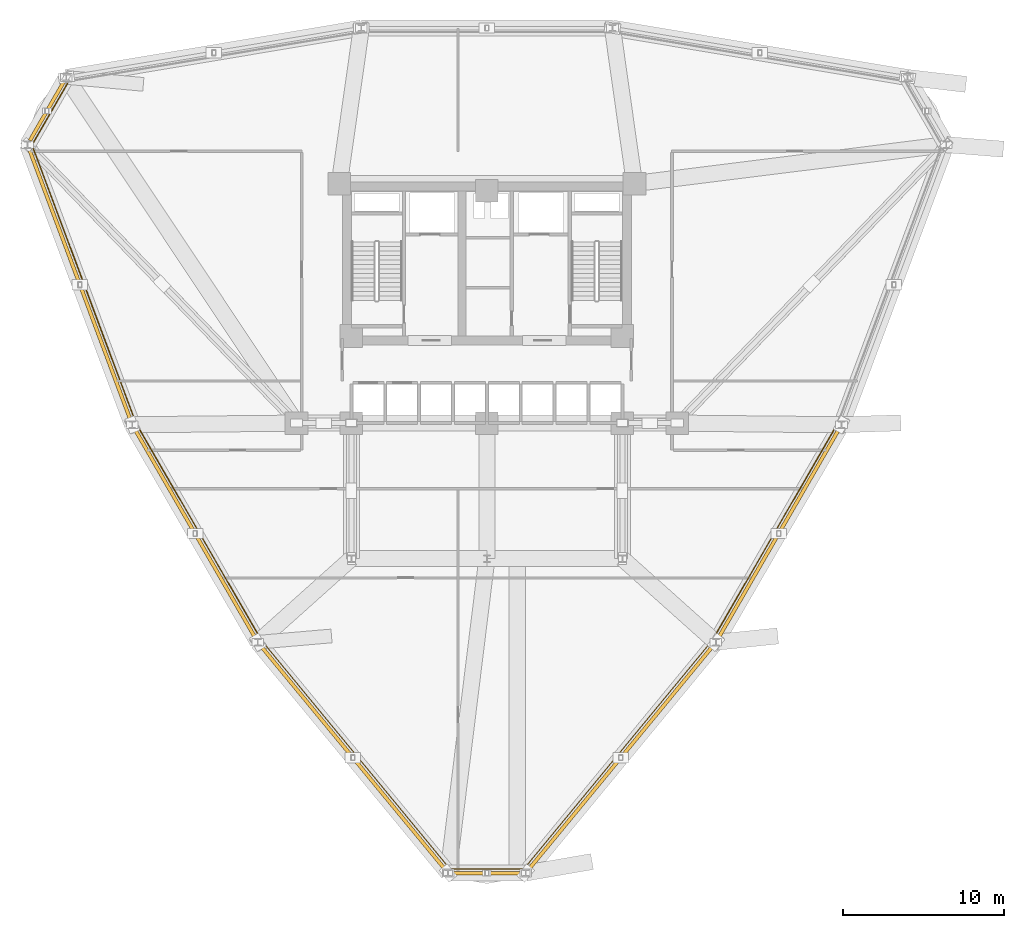
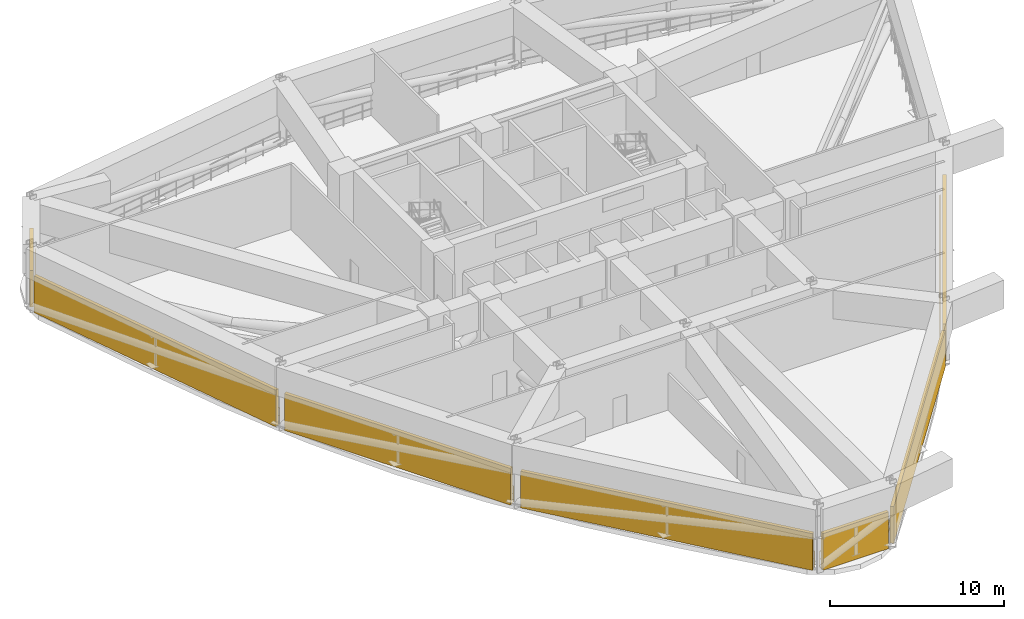
# One storey, part 10 of 12: 7 railings, 7 shading devices.
"""IFC4 building model written with IfcOpenShell, lengths in metres."""

import ifcopenshell
import ifcopenshell.guid

model = None  # the IFC model being written
_history = None  # IfcOwnerHistory: only IFC2X3 demands one
_inside = {}  # id of a spatial element -> (the spatial element, [elements in it])
_under = {}  # id of a project, library or spatial element -> (it, [spatial elements below it])
_declared = {}  # id of a project -> (the project, [libraries it declares])
_typed = {}  # id of a type object -> (the type object, [elements of that type])
_made_of = {}  # id of a material, layer set ... -> (it, [elements and type objects made of it])


def new_model(schema):
    """Start an empty IFC model of exactly this schema.

    Asked for "IFC4X3", IfcOpenShell would pick the latest addendum, in which some entities
    have other attributes; the version numbers below select the first issue.
    IFC2X3 requires an IfcOwnerHistory on every rooted entity: one is made here for all.
    """
    global model, _history
    if schema == "IFC4X3":
        model = ifcopenshell.file(schema_version=(4, 3, 0, 0))
    else:
        model = ifcopenshell.file(schema=schema)
    _inside.clear()
    _under.clear()
    _declared.clear()
    _typed.clear()
    _made_of.clear()
    _history = None
    if model.schema == "IFC2X3":
        org = make("IfcOrganization", Name="unknown")
        user = make(
            "IfcPersonAndOrganization",
            ThePerson=make("IfcPerson", FamilyName="unknown"),
            TheOrganization=org,
        )
        app = make(
            "IfcApplication",
            ApplicationDeveloper=org,
            Version="unknown",
            ApplicationFullName="unknown",
            ApplicationIdentifier="unknown",
        )
        _history = make(
            "IfcOwnerHistory",
            OwningUser=user,
            OwningApplication=app,
            ChangeAction="ADDED",
            CreationDate=0,
        )
    return model


def make(cls, **values):
    """One entity of the class cls with the attributes given. An attribute that is None is left unset."""
    return model.create_entity(
        cls, **{name: value for name, value in values.items() if value is not None}
    )


def rooted(cls, **values):
    """An entity with a GlobalId (a new one), such as an element, a storey or a relation."""
    return make(cls, GlobalId=ifcopenshell.guid.new(), OwnerHistory=_history, **values)


def si_unit(unit_type, name, prefix=None):
    """IfcSIUnit, for example si_unit("LENGTHUNIT", "METRE", prefix="MILLI")."""
    return make("IfcSIUnit", UnitType=unit_type, Prefix=prefix, Name=name)


def derived_unit(unit_type, elements):
    """IfcDerivedUnit: a product of units, each with its exponent."""
    return make(
        "IfcDerivedUnit",
        Elements=[
            make("IfcDerivedUnitElement", Unit=unit, Exponent=power)
            for unit, power in elements
        ],
        UnitType=unit_type,
    )


def assignment(units):
    """IfcUnitAssignment: the units of a project."""
    return None if units is None else make("IfcUnitAssignment", Units=units)


def point(xyz):
    """IfcCartesianPoint."""
    return None if xyz is None else make("IfcCartesianPoint", Coordinates=xyz)


def direction(xyz):
    """IfcDirection."""
    return None if xyz is None else make("IfcDirection", DirectionRatios=xyz)


def frame(location, z_axis=None, x_axis=None):
    """IfcAxis2Placement3D, a coordinate frame: its origin and axes. An axis left out is left unset."""
    return make(
        "IfcAxis2Placement3D",
        Location=point(location),
        Axis=direction(z_axis),
        RefDirection=direction(x_axis),
    )


def frame_2d(location, x_axis=None):
    """IfcAxis2Placement2D, a coordinate frame in the plane: its origin and x axis."""
    return make(
        "IfcAxis2Placement2D", Location=point(location), RefDirection=direction(x_axis)
    )


def origin():
    """The frame at (0, 0, 0) with its axes left unset."""
    return frame((0.0, 0.0, 0.0))


def origin_2d():
    """The frame at (0, 0) in the plane with its x axis left unset."""
    return frame_2d((0.0, 0.0))


def place(relative_to, where):
    """IfcLocalPlacement: puts the frame where relative to a parent placement (None: the world)."""
    return make(
        "IfcLocalPlacement", PlacementRelTo=relative_to, RelativePlacement=where
    )


def context(
    kind, dimensions, precision=None, world=None, true_north=None, identifier=None
):
    """IfcGeometricRepresentationContext, for example the 3D "Model" context."""
    return make(
        "IfcGeometricRepresentationContext",
        ContextIdentifier=identifier,
        ContextType=kind,
        CoordinateSpaceDimension=dimensions,
        Precision=precision,
        WorldCoordinateSystem=world,
        TrueNorth=true_north,
    )


def subcontext(parent, identifier, kind, view, scale=None):
    """IfcGeometricRepresentationSubContext, for example "Body" below "Model"."""
    return make(
        "IfcGeometricRepresentationSubContext",
        ContextIdentifier=identifier,
        ContextType=kind,
        ParentContext=parent,
        TargetScale=scale,
        TargetView=view,
    )


def project(units=None, contexts=None):
    """IfcProject with its units and contexts."""
    return rooted(
        "IfcProject",
        Name="project",
        RepresentationContexts=contexts,
        UnitsInContext=assignment(units),
    )


def spatial(cls, under=None, at=None, **own):
    """A site, building, storey or space (cls), placed at a placement, below another one or the project."""
    s = rooted(cls, ObjectPlacement=at, **own)
    if under is not None:
        _under.setdefault(under.id(), (under, []))[1].append(s)
    return s


def polyline(points):
    """IfcPolyline through the points."""
    return make("IfcPolyline", Points=[point(p) for p in points])


def profile(cls, at=None, kind="AREA", **sizes):
    """A parametric profile (cls). Its sizes go by their IFC names, for example OverallWidth=200.0."""
    return make(cls, ProfileType=kind, Position=at, **sizes)


def circle(**sizes):
    """IfcCircleProfileDef."""
    return profile("IfcCircleProfileDef", **sizes)


def outline(outer, holes=None, kind="AREA"):
    """IfcArbitraryClosedProfileDef: a profile drawn as a closed curve; with holes, ...WithVoids."""
    if holes is None:
        return make("IfcArbitraryClosedProfileDef", ProfileType=kind, OuterCurve=outer)
    return make(
        "IfcArbitraryProfileDefWithVoids",
        ProfileType=kind,
        OuterCurve=outer,
        InnerCurves=holes,
    )


def extrude(swept, where, along, depth):
    """IfcExtrudedAreaSolid: the profile swept, set in the frame where, extruded along a direction by depth."""
    return make(
        "IfcExtrudedAreaSolid",
        SweptArea=swept,
        Position=where,
        ExtrudedDirection=direction(along),
        Depth=depth,
    )


def shape(context_of_items, identifier, shape_type, items):
    """IfcShapeRepresentation: the items that make up one representation, for example the "Body"."""
    return make(
        "IfcShapeRepresentation",
        ContextOfItems=context_of_items,
        RepresentationIdentifier=identifier,
        RepresentationType=shape_type,
        Items=items,
    )


def material(Name=None, Category=None):
    """IfcMaterial."""
    return make("IfcMaterial", Name=Name, Category=Category)


def layer(
    of_material, thickness, ventilated=None, Name=None, Category=None, Priority=None
):
    """IfcMaterialLayer: one layer of a wall or slab, of a material (None: an air gap)."""
    return make(
        "IfcMaterialLayer",
        Material=of_material,
        LayerThickness=thickness,
        IsVentilated=ventilated,
        Name=Name,
        Category=Category,
        Priority=Priority,
    )


def layer_set(layers, Name=None):
    """IfcMaterialLayerSet."""
    return make("IfcMaterialLayerSet", MaterialLayers=layers, LayerSetName=Name)


def made_of(thing, what):
    """Note that an element or type object is made of a material, layer set ...; save() writes the relation."""
    if what is not None:
        _made_of.setdefault(what.id(), (what, []))[1].append(thing)
    return thing


def type_object(cls, material=None, **own):
    """A type object (cls), such as IfcWallType, which elements share."""
    return made_of(rooted(cls, **own), material)


def element(
    cls,
    number,
    at=None,
    inside=None,
    cuts=None,
    type_object=None,
    material=None,
    context=None,
    identifier="Body",
    shape_type=None,
    held_by="IfcProductDefinitionShape",
    body=None,
    shapes=None,
    **own,
):
    """One element of the class cls, such as IfcWall. Its Tag is "e" and its number.

    at: its placement. inside: the storey or other place that contains it. cuts: it is an
    opening in that element (IfcRelVoidsElement). A single representation is given by context,
    identifier, shape_type and body (its items); several are given by shapes. held_by: the class
    of the entity that holds the representations. save() writes the other relations.
    """
    e = rooted(cls, Tag="e%d" % number, ObjectPlacement=at, **own)
    if body is not None:
        shapes = [shape(context, identifier, shape_type, body)]
    if shapes is not None:
        e.Representation = make(held_by, Representations=shapes)
    if inside is not None:
        _inside.setdefault(inside.id(), (inside, []))[1].append(e)
    if cuts is not None:
        rooted(
            "IfcRelVoidsElement", RelatingBuildingElement=cuts, RelatedOpeningElement=e
        )
    if type_object is not None:
        _typed.setdefault(type_object.id(), (type_object, []))[1].append(e)
    return made_of(e, material)


def aggregate(whole, parts):
    """IfcRelAggregates: a whole, such as a stair, and the parts it consists of."""
    return rooted("IfcRelAggregates", RelatingObject=whole, RelatedObjects=parts)


def save(model, path):
    """Write the relations noted so far, then the file.

    IfcRelAggregates (storeys below a building ...), IfcRelContainedInSpatialStructure (elements
    in a storey), IfcRelDefinesByType, IfcRelAssociatesMaterial and IfcRelDeclares: one each for
    every whole, place, type object, material and project.
    """
    for whole, parts in _under.values():
        aggregate(whole, parts)
    for where, things in _inside.values():
        rooted(
            "IfcRelContainedInSpatialStructure",
            RelatedElements=things,
            RelatingStructure=where,
        )
    for kind, things in _typed.values():
        rooted("IfcRelDefinesByType", RelatedObjects=things, RelatingType=kind)
    for what, things in _made_of.values():
        rooted("IfcRelAssociatesMaterial", RelatedObjects=things, RelatingMaterial=what)
    for by, libraries in _declared.values():
        rooted("IfcRelDeclares", RelatingContext=by, RelatedDefinitions=libraries)
    model.write(path)


model = new_model("IFC4")

# Units and contexts
model_context = context("Model", 3, precision=1e-05, world=origin(), true_north=direction((0.0, 1.0)))
body_context = subcontext(model_context, "Body", "Model", "MODEL_VIEW")
ifc_project = project(units=[si_unit("LENGTHUNIT", "METRE"), si_unit("AREAUNIT", "SQUARE_METRE"), si_unit("VOLUMEUNIT", "CUBIC_METRE"), si_unit("PLANEANGLEUNIT", "RADIAN"), si_unit("MASSUNIT", "GRAM", prefix="KILO"), derived_unit("THERMALTRANSMITTANCEUNIT", [(si_unit("POWERUNIT", "WATT"), 1), (si_unit("LENGTHUNIT", "METRE"), -2), (si_unit("THERMODYNAMICTEMPERATUREUNIT", "KELVIN"), -1)])], contexts=[model_context])

# Site, building, storey
site_placement = place(None, origin())
site = spatial("IfcSite", under=ifc_project, at=site_placement, CompositionType="ELEMENT")
building_placement = place(site_placement, origin())
building = spatial("IfcBuilding", under=site, at=building_placement, Name="Korsvarv Bourse and Concert Hall", CompositionType="ELEMENT")
storey_placement = place(building_placement, frame((0.0, 0.0, 59.10009765625)))
storey = spatial("IfcBuildingStorey", under=building, at=storey_placement, Name="L14", CompositionType="ELEMENT", Elevation=59.10009765625)

# Railings
ifc_material_1 = material(Name="Laminated safety glass and stainless Steel S355 balustrade", Category="steel")
railing_type = type_object("IfcRailingType", Name="RL-BAL-EXT", PredefinedType="BALUSTRADE", material=ifc_material_1)
railing_1_placement = place(storey_placement, frame((9.998779296875, 53.446533203125, 0.0)))
element("IfcRailing", 1, at=railing_1_placement, inside=storey, type_object=railing_type, Name="L14 Refuge Band Perimeter Safety Balustrade 5", PredefinedType="BALUSTRADE", context=body_context, shape_type="SweptSolid", body=[
    extrude(circle(Radius=0.02392578125, at=origin_2d()), frame((0.0, 0.0, 1.1259765625), z_axis=(-0.499974699561, -0.866040010507, 0.0), x_axis=(0.866040010507, -0.499974699561, 0.0)), (0.0, 0.0, 1.0), 4.217041015625),
    extrude(circle(Radius=0.02392578125, at=origin_2d()), frame((0.0, 0.0, 0.574951171875), z_axis=(-0.499974699561, -0.866040010507, 0.0), x_axis=(0.866040010507, -0.499974699561, 0.0)), (0.0, 0.0, 1.0), 4.217041015625),
    extrude(circle(Radius=0.02099609375, at=origin_2d()), origin(), (0.0, 0.0, 1.0), 1.101806640625),
    extrude(circle(Radius=0.02099609375, at=origin_2d()), frame((-0.527099609375, -0.9130859375, 0.0)), (0.0, 0.0, 1.0), 1.101806640625),
    extrude(circle(Radius=0.02099609375, at=origin_2d()), frame((-1.05419921875, -1.826171875, 0.0)), (0.0, 0.0, 1.0), 1.101806640625),
    extrude(circle(Radius=0.02099609375, at=origin_2d()), frame((-1.581298828125, -2.739013671875, 0.0)), (0.0, 0.0, 1.0), 1.101806640625),
    extrude(circle(Radius=0.02099609375, at=origin_2d()), frame((-2.1083984375, -3.652099609375, 0.0)), (0.0, 0.0, 1.0), 1.101806640625),
])
railing_2_placement = place(storey_placement, frame((7.855712890625, 49.492919921875, 0.0)))
element("IfcRailing", 2, at=railing_2_placement, inside=storey, type_object=railing_type, Name="L14 Refuge Band Perimeter Safety Balustrade 6", PredefinedType="BALUSTRADE", context=body_context, shape_type="SweptSolid", body=[
    extrude(circle(Radius=0.02392578125, at=origin_2d()), frame((0.0, 0.0, 1.1259765625), z_axis=(0.350140201652, -0.936697303928, 0.0), x_axis=(0.936697303928, 0.350140201652, 0.0)), (0.0, 0.0, 1.0), 17.990234375),
    extrude(circle(Radius=0.02392578125, at=origin_2d()), frame((0.0, 0.0, 0.574951171875), z_axis=(0.350140201652, -0.936697303928, 0.0), x_axis=(0.936697303928, 0.350140201652, 0.0)), (0.0, 0.0, 1.0), 17.990234375),
    extrude(circle(Radius=0.02099609375, at=origin_2d()), origin(), (0.0, 0.0, 1.0), 1.101806640625),
    extrude(circle(Radius=0.02099609375, at=origin_2d()), frame((0.449951171875, -1.20361328125, 0.0)), (0.0, 0.0, 1.0), 1.101806640625),
    extrude(circle(Radius=0.02099609375, at=origin_2d()), frame((0.89990234375, -2.4072265625, 0.0)), (0.0, 0.0, 1.0), 1.101806640625),
    extrude(circle(Radius=0.02099609375, at=origin_2d()), frame((1.349853515625, -3.611083984375, 0.0)), (0.0, 0.0, 1.0), 1.101806640625),
    extrude(circle(Radius=0.02099609375, at=origin_2d()), frame((1.7998046875, -4.814697265625, 0.0)), (0.0, 0.0, 1.0), 1.101806640625),
    extrude(circle(Radius=0.02099609375, at=origin_2d()), frame((2.249755859375, -6.018310546875, 0.0)), (0.0, 0.0, 1.0), 1.101806640625),
    extrude(circle(Radius=0.02099609375, at=origin_2d()), frame((2.69970703125, -7.221923828125, 0.0)), (0.0, 0.0, 1.0), 1.101806640625),
    extrude(circle(Radius=0.02099609375, at=origin_2d()), frame((3.1494140625, -8.42578125, 0.0)), (0.0, 0.0, 1.0), 1.101806640625),
    extrude(circle(Radius=0.02099609375, at=origin_2d()), frame((3.599365234375, -9.62939453125, 0.0)), (0.0, 0.0, 1.0), 1.101806640625),
    extrude(circle(Radius=0.02099609375, at=origin_2d()), frame((4.04931640625, -10.8330078125, 0.0)), (0.0, 0.0, 1.0), 1.101806640625),
    extrude(circle(Radius=0.02099609375, at=origin_2d()), frame((4.499267578125, -12.03662109375, 0.0)), (0.0, 0.0, 1.0), 1.101806640625),
    extrude(circle(Radius=0.02099609375, at=origin_2d()), frame((4.94921875, -13.240234375, 0.0)), (0.0, 0.0, 1.0), 1.101806640625),
    extrude(circle(Radius=0.02099609375, at=origin_2d()), frame((5.399169921875, -14.444091796875, 0.0)), (0.0, 0.0, 1.0), 1.101806640625),
    extrude(circle(Radius=0.02099609375, at=origin_2d()), frame((5.84912109375, -15.647705078125, 0.0)), (0.0, 0.0, 1.0), 1.101806640625),
    extrude(circle(Radius=0.02099609375, at=origin_2d()), frame((6.299072265625, -16.851318359375, 0.0)), (0.0, 0.0, 1.0), 1.101806640625),
])
railing_3_placement = place(storey_placement, frame((14.381591796875, 32.1650390625, 0.0)))
element("IfcRailing", 3, at=railing_3_placement, inside=storey, type_object=railing_type, Name="L14 Refuge Band Perimeter Safety Balustrade 7", PredefinedType="BALUSTRADE", context=body_context, shape_type="SweptSolid", body=[
    extrude(circle(Radius=0.02392578125, at=origin_2d()), frame((0.0, 0.0, 1.1259765625), z_axis=(0.50000515536, -0.866022427315, 0.0), x_axis=(0.866022427315, 0.50000515536, 0.0)), (0.0, 0.0, 1.0), 14.975830078125),
    extrude(circle(Radius=0.02392578125, at=origin_2d()), frame((0.0, 0.0, 0.574951171875), z_axis=(0.50000515536, -0.866022427315, 0.0), x_axis=(0.866022427315, 0.50000515536, 0.0)), (0.0, 0.0, 1.0), 14.975830078125),
    extrude(circle(Radius=0.02099609375, at=origin_2d()), origin(), (0.0, 0.0, 1.0), 1.101806640625),
    extrude(circle(Radius=0.02099609375, at=origin_2d()), frame((0.6240234375, -1.080810546875, 0.0)), (0.0, 0.0, 1.0), 1.101806640625),
    extrude(circle(Radius=0.02099609375, at=origin_2d()), frame((1.248046875, -2.16162109375, 0.0)), (0.0, 0.0, 1.0), 1.101806640625),
    extrude(circle(Radius=0.02099609375, at=origin_2d()), frame((1.8720703125, -3.242431640625, 0.0)), (0.0, 0.0, 1.0), 1.101806640625),
    extrude(circle(Radius=0.02099609375, at=origin_2d()), frame((2.49609375, -4.3232421875, 0.0)), (0.0, 0.0, 1.0), 1.101806640625),
    extrude(circle(Radius=0.02099609375, at=origin_2d()), frame((3.1201171875, -5.404052734375, 0.0)), (0.0, 0.0, 1.0), 1.101806640625),
    extrude(circle(Radius=0.02099609375, at=origin_2d()), frame((3.744140625, -6.48486328125, 0.0)), (0.0, 0.0, 1.0), 1.101806640625),
    extrude(circle(Radius=0.02099609375, at=origin_2d()), frame((4.367919921875, -7.5654296875, 0.0)), (0.0, 0.0, 1.0), 1.101806640625),
    extrude(circle(Radius=0.02099609375, at=origin_2d()), frame((4.991943359375, -8.646240234375, 0.0)), (0.0, 0.0, 1.0), 1.101806640625),
    extrude(circle(Radius=0.02099609375, at=origin_2d()), frame((5.615966796875, -9.72705078125, 0.0)), (0.0, 0.0, 1.0), 1.101806640625),
    extrude(circle(Radius=0.02099609375, at=origin_2d()), frame((6.239990234375, -10.807861328125, 0.0)), (0.0, 0.0, 1.0), 1.101806640625),
    extrude(circle(Radius=0.02099609375, at=origin_2d()), frame((6.864013671875, -11.888671875, 0.0)), (0.0, 0.0, 1.0), 1.101806640625),
    extrude(circle(Radius=0.02099609375, at=origin_2d()), frame((7.488037109375, -12.969482421875, 0.0)), (0.0, 0.0, 1.0), 1.101806640625),
])
railing_4_placement = place(storey_placement, frame((22.206298828125, 18.715576171875, 0.0)))
element("IfcRailing", 4, at=railing_4_placement, inside=storey, type_object=railing_type, Name="L14 Refuge Band Perimeter Safety Balustrade 8", PredefinedType="BALUSTRADE", context=body_context, shape_type="SweptSolid", body=[
    extrude(circle(Radius=0.02392578125, at=origin_2d()), frame((0.0, 0.0, 1.1259765625), z_axis=(0.636123235213, -0.771587473733, 0.0), x_axis=(0.771587473733, 0.636123235213, 0.0)), (0.0, 0.0, 1.0), 17.873046875),
    extrude(circle(Radius=0.02392578125, at=origin_2d()), frame((0.0, 0.0, 0.574951171875), z_axis=(0.636123235213, -0.771587473733, 0.0), x_axis=(0.771587473733, 0.636123235213, 0.0)), (0.0, 0.0, 1.0), 17.873046875),
    extrude(circle(Radius=0.02099609375, at=origin_2d()), origin(), (0.0, 0.0, 1.0), 1.101806640625),
    extrude(circle(Radius=0.02099609375, at=origin_2d()), frame((0.81201171875, -0.985107421875, 0.0)), (0.0, 0.0, 1.0), 1.101806640625),
    extrude(circle(Radius=0.02099609375, at=origin_2d()), frame((1.624267578125, -1.969970703125, 0.0)), (0.0, 0.0, 1.0), 1.101806640625),
    extrude(circle(Radius=0.02099609375, at=origin_2d()), frame((2.436279296875, -2.955078125, 0.0)), (0.0, 0.0, 1.0), 1.101806640625),
    extrude(circle(Radius=0.02099609375, at=origin_2d()), frame((3.248291015625, -3.940185546875, 0.0)), (0.0, 0.0, 1.0), 1.101806640625),
    extrude(circle(Radius=0.02099609375, at=origin_2d()), frame((4.060546875, -4.92529296875, 0.0)), (0.0, 0.0, 1.0), 1.101806640625),
    extrude(circle(Radius=0.02099609375, at=origin_2d()), frame((4.87255859375, -5.91015625, 0.0)), (0.0, 0.0, 1.0), 1.101806640625),
    extrude(circle(Radius=0.02099609375, at=origin_2d()), frame((5.6845703125, -6.895263671875, 0.0)), (0.0, 0.0, 1.0), 1.101806640625),
    extrude(circle(Radius=0.02099609375, at=origin_2d()), frame((6.496826171875, -7.88037109375, 0.0)), (0.0, 0.0, 1.0), 1.101806640625),
    extrude(circle(Radius=0.02099609375, at=origin_2d()), frame((7.308837890625, -8.865234375, 0.0)), (0.0, 0.0, 1.0), 1.101806640625),
    extrude(circle(Radius=0.02099609375, at=origin_2d()), frame((8.12109375, -9.850341796875, 0.0)), (0.0, 0.0, 1.0), 1.101806640625),
    extrude(circle(Radius=0.02099609375, at=origin_2d()), frame((8.93310546875, -10.83544921875, 0.0)), (0.0, 0.0, 1.0), 1.101806640625),
    extrude(circle(Radius=0.02099609375, at=origin_2d()), frame((9.7451171875, -11.820556640625, 0.0)), (0.0, 0.0, 1.0), 1.101806640625),
    extrude(circle(Radius=0.02099609375, at=origin_2d()), frame((10.557373046875, -12.805419921875, 0.0)), (0.0, 0.0, 1.0), 1.101806640625),
    extrude(circle(Radius=0.02099609375, at=origin_2d()), frame((11.369384765625, -13.79052734375, 0.0)), (0.0, 0.0, 1.0), 1.101806640625),
])
railing_5_placement = place(storey_placement, frame((33.82666015625, 4.759033203125, 0.0)))
element("IfcRailing", 5, at=railing_5_placement, inside=storey, type_object=railing_type, Name="L14 Refuge Band Perimeter Safety Balustrade 9", PredefinedType="BALUSTRADE", context=body_context, shape_type="SweptSolid", body=[
    extrude(circle(Radius=0.02392578125, at=origin_2d()), frame((0.0, 0.0, 1.1259765625), z_axis=(1.0, 0.0, 0.0), x_axis=(0.0, 1.0, 0.0)), (0.0, 0.0, 1.0), 4.3466796875),
    extrude(circle(Radius=0.02392578125, at=origin_2d()), frame((0.0, 0.0, 0.574951171875), z_axis=(1.0, 0.0, 0.0), x_axis=(0.0, 1.0, 0.0)), (0.0, 0.0, 1.0), 4.3466796875),
    extrude(circle(Radius=0.02099609375, at=origin_2d()), origin(), (0.0, 0.0, 1.0), 1.101806640625),
    extrude(circle(Radius=0.02099609375, at=origin_2d()), frame((1.086669921875, 0.0, 0.0)), (0.0, 0.0, 1.0), 1.101806640625),
    extrude(circle(Radius=0.02099609375, at=origin_2d()), frame((2.17333984375, 0.0, 0.0)), (0.0, 0.0, 1.0), 1.101806640625),
    extrude(circle(Radius=0.02099609375, at=origin_2d()), frame((3.260009765625, 0.0, 0.0)), (0.0, 0.0, 1.0), 1.101806640625),
    extrude(circle(Radius=0.02099609375, at=origin_2d()), frame((4.3466796875, 0.0, 0.0)), (0.0, 0.0, 1.0), 1.101806640625),
])
railing_6_placement = place(storey_placement, frame((38.42431640625, 4.925048828125, 0.0)))
element("IfcRailing", 6, at=railing_6_placement, inside=storey, type_object=railing_type, Name="L14 Refuge Band Perimeter Safety Balustrade 10", PredefinedType="BALUSTRADE", context=body_context, shape_type="SweptSolid", body=[
    extrude(circle(Radius=0.02392578125, at=origin_2d()), frame((0.0, 0.0, 1.1259765625), z_axis=(0.636123235213, 0.771587473733, 0.0), x_axis=(-0.771587473733, 0.636123235213, 0.0)), (0.0, 0.0, 1.0), 17.873046875),
    extrude(circle(Radius=0.02392578125, at=origin_2d()), frame((0.0, 0.0, 0.574951171875), z_axis=(0.636123235213, 0.771587473733, 0.0), x_axis=(-0.771587473733, 0.636123235213, 0.0)), (0.0, 0.0, 1.0), 17.873046875),
    extrude(circle(Radius=0.02099609375, at=origin_2d()), origin(), (0.0, 0.0, 1.0), 1.101806640625),
    extrude(circle(Radius=0.02099609375, at=origin_2d()), frame((0.81201171875, 0.985107421875, 0.0)), (0.0, 0.0, 1.0), 1.101806640625),
    extrude(circle(Radius=0.02099609375, at=origin_2d()), frame((1.624267578125, 1.969970703125, 0.0)), (0.0, 0.0, 1.0), 1.101806640625),
    extrude(circle(Radius=0.02099609375, at=origin_2d()), frame((2.436279296875, 2.955078125, 0.0)), (0.0, 0.0, 1.0), 1.101806640625),
    extrude(circle(Radius=0.02099609375, at=origin_2d()), frame((3.248291015625, 3.940185546875, 0.0)), (0.0, 0.0, 1.0), 1.101806640625),
    extrude(circle(Radius=0.02099609375, at=origin_2d()), frame((4.060546875, 4.92529296875, 0.0)), (0.0, 0.0, 1.0), 1.101806640625),
    extrude(circle(Radius=0.02099609375, at=origin_2d()), frame((4.87255859375, 5.91015625, 0.0)), (0.0, 0.0, 1.0), 1.101806640625),
    extrude(circle(Radius=0.02099609375, at=origin_2d()), frame((5.6845703125, 6.895263671875, 0.0)), (0.0, 0.0, 1.0), 1.101806640625),
    extrude(circle(Radius=0.02099609375, at=origin_2d()), frame((6.496826171875, 7.88037109375, 0.0)), (0.0, 0.0, 1.0), 1.101806640625),
    extrude(circle(Radius=0.02099609375, at=origin_2d()), frame((7.308837890625, 8.865234375, 0.0)), (0.0, 0.0, 1.0), 1.101806640625),
    extrude(circle(Radius=0.02099609375, at=origin_2d()), frame((8.12109375, 9.850341796875, 0.0)), (0.0, 0.0, 1.0), 1.101806640625),
    extrude(circle(Radius=0.02099609375, at=origin_2d()), frame((8.93310546875, 10.83544921875, 0.0)), (0.0, 0.0, 1.0), 1.101806640625),
    extrude(circle(Radius=0.02099609375, at=origin_2d()), frame((9.7451171875, 11.820556640625, 0.0)), (0.0, 0.0, 1.0), 1.101806640625),
    extrude(circle(Radius=0.02099609375, at=origin_2d()), frame((10.557373046875, 12.805419921875, 0.0)), (0.0, 0.0, 1.0), 1.101806640625),
    extrude(circle(Radius=0.02099609375, at=origin_2d()), frame((11.369384765625, 13.79052734375, 0.0)), (0.0, 0.0, 1.0), 1.101806640625),
])
railing_7_placement = place(storey_placement, frame((50.13037109375, 19.195556640625, 0.0)))
element("IfcRailing", 7, at=railing_7_placement, inside=storey, type_object=railing_type, Name="L14 Refuge Band Perimeter Safety Balustrade 11", PredefinedType="BALUSTRADE", context=body_context, shape_type="SweptSolid", body=[
    extrude(circle(Radius=0.02392578125, at=origin_2d()), frame((0.0, 0.0, 1.1259765625), z_axis=(0.50000515536, 0.866022427315, 0.0), x_axis=(-0.866022427315, 0.50000515536, 0.0)), (0.0, 0.0, 1.0), 14.975830078125),
    extrude(circle(Radius=0.02392578125, at=origin_2d()), frame((0.0, 0.0, 0.574951171875), z_axis=(0.50000515536, 0.866022427315, 0.0), x_axis=(-0.866022427315, 0.50000515536, 0.0)), (0.0, 0.0, 1.0), 14.975830078125),
    extrude(circle(Radius=0.02099609375, at=origin_2d()), origin(), (0.0, 0.0, 1.0), 1.101806640625),
    extrude(circle(Radius=0.02099609375, at=origin_2d()), frame((0.6240234375, 1.080810546875, 0.0)), (0.0, 0.0, 1.0), 1.101806640625),
    extrude(circle(Radius=0.02099609375, at=origin_2d()), frame((1.248046875, 2.16162109375, 0.0)), (0.0, 0.0, 1.0), 1.101806640625),
    extrude(circle(Radius=0.02099609375, at=origin_2d()), frame((1.8720703125, 3.242431640625, 0.0)), (0.0, 0.0, 1.0), 1.101806640625),
    extrude(circle(Radius=0.02099609375, at=origin_2d()), frame((2.49609375, 4.3232421875, 0.0)), (0.0, 0.0, 1.0), 1.101806640625),
    extrude(circle(Radius=0.02099609375, at=origin_2d()), frame((3.1201171875, 5.404052734375, 0.0)), (0.0, 0.0, 1.0), 1.101806640625),
    extrude(circle(Radius=0.02099609375, at=origin_2d()), frame((3.744140625, 6.48486328125, 0.0)), (0.0, 0.0, 1.0), 1.101806640625),
    extrude(circle(Radius=0.02099609375, at=origin_2d()), frame((4.367919921875, 7.5654296875, 0.0)), (0.0, 0.0, 1.0), 1.101806640625),
    extrude(circle(Radius=0.02099609375, at=origin_2d()), frame((4.991943359375, 8.646240234375, 0.0)), (0.0, 0.0, 1.0), 1.101806640625),
    extrude(circle(Radius=0.02099609375, at=origin_2d()), frame((5.615966796875, 9.72705078125, 0.0)), (0.0, 0.0, 1.0), 1.101806640625),
    extrude(circle(Radius=0.02099609375, at=origin_2d()), frame((6.239990234375, 10.807861328125, 0.0)), (0.0, 0.0, 1.0), 1.101806640625),
    extrude(circle(Radius=0.02099609375, at=origin_2d()), frame((6.864013671875, 11.888671875, 0.0)), (0.0, 0.0, 1.0), 1.101806640625),
    extrude(circle(Radius=0.02099609375, at=origin_2d()), frame((7.488037109375, 12.969482421875, 0.0)), (0.0, 0.0, 1.0), 1.101806640625),
])

# Shading devices
ifc_material_2 = material(Name="Marine-grade powder-coated aluminium acoustic storm louvre", Category="aluminium")
ifc_layer = layer(ifc_material_2, 0.219970703125)
ifc_layer_set = layer_set([ifc_layer], Name="Marine-grade powder-coated aluminium acoustic storm louvre")
shading_device_type = type_object("IfcShadingDeviceType", Name="SHD-LVR-1", PredefinedType="JALOUSIE", material=ifc_layer_set)
shading_device_1_placement = place(storey_placement, origin())
element("IfcShadingDevice", 8, at=shading_device_1_placement, inside=storey, type_object=shading_device_type, Name="L14 Refuge Acoustic Storm Louvre Bay 5", PredefinedType="JALOUSIE", context=body_context, shape_type="SweptSolid", body=[
    extrude(outline(polyline([(9.877685546875, 53.5166015625), (7.76904296875, 49.864501953125), (7.57861328125, 49.974365234375), (9.68701171875, 53.62646484375), (9.877685546875, 53.5166015625)])), origin(), (0.0, 0.0, 1.0), 2.56982421875),
])
shading_device_2_placement = place(storey_placement, origin())
element("IfcShadingDevice", 9, at=shading_device_2_placement, inside=storey, type_object=shading_device_type, Name="L14 Refuge Acoustic Storm Louvre Bay 6", PredefinedType="JALOUSIE", context=body_context, shape_type="SweptSolid", body=[
    extrude(outline(polyline([(7.724609375, 49.44384765625), (14.023681640625, 32.592529296875), (13.817626953125, 32.515380859375), (7.5185546875, 49.366943359375), (7.724609375, 49.44384765625)])), origin(), (0.0, 0.0, 1.0), 2.56982421875),
])
shading_device_3_placement = place(storey_placement, origin())
element("IfcShadingDevice", 10, at=shading_device_3_placement, inside=storey, type_object=shading_device_type, Name="L14 Refuge Acoustic Storm Louvre Bay 7", PredefinedType="JALOUSIE", context=body_context, shape_type="SweptSolid", body=[
    extrude(outline(polyline([(14.260498046875, 32.094970703125), (21.748291015625, 19.12548828125), (21.557861328125, 19.015380859375), (14.06982421875, 31.985107421875), (14.260498046875, 32.094970703125)])), origin(), (0.0, 0.0, 1.0), 2.56982421875),
])
shading_device_4_placement = place(storey_placement, origin())
element("IfcShadingDevice", 11, at=shading_device_4_placement, inside=storey, type_object=shading_device_type, Name="L14 Refuge Acoustic Storm Louvre Bay 8", PredefinedType="JALOUSIE", context=body_context, shape_type="SweptSolid", body=[
    extrude(outline(polyline([(22.098388671875, 18.62646484375), (33.4677734375, 4.836181640625), (33.2978515625, 4.696044921875), (21.928466796875, 18.486572265625), (22.098388671875, 18.62646484375)])), origin(), (0.0, 0.0, 1.0), 2.56982421875),
])
shading_device_5_placement = place(storey_placement, origin())
element("IfcShadingDevice", 12, at=shading_device_5_placement, inside=storey, type_object=shading_device_type, Name="L14 Refuge Acoustic Storm Louvre Bay 9", PredefinedType="JALOUSIE", context=body_context, shape_type="SweptSolid", body=[
    extrude(outline(polyline([(33.82666015625, 4.619140625), (38.17333984375, 4.619140625), (38.17333984375, 4.399169921875), (33.82666015625, 4.399169921875), (33.82666015625, 4.619140625)])), origin(), (0.0, 0.0, 1.0), 2.56982421875),
])
shading_device_6_placement = place(storey_placement, origin())
element("IfcShadingDevice", 13, at=shading_device_6_placement, inside=storey, type_object=shading_device_type, Name="L14 Refuge Acoustic Storm Louvre Bay 10", PredefinedType="JALOUSIE", context=body_context, shape_type="SweptSolid", body=[
    extrude(outline(polyline([(38.5322265625, 4.836181640625), (49.901611328125, 18.62646484375), (50.071533203125, 18.486572265625), (38.7021484375, 4.696044921875), (38.5322265625, 4.836181640625)])), origin(), (0.0, 0.0, 1.0), 2.56982421875),
])
shading_device_7_placement = place(storey_placement, origin())
element("IfcShadingDevice", 14, at=shading_device_7_placement, inside=storey, type_object=shading_device_type, Name="L14 Refuge Acoustic Storm Louvre Bay 11", PredefinedType="JALOUSIE", context=body_context, shape_type="SweptSolid", body=[
    extrude(outline(polyline([(50.251708984375, 19.12548828125), (57.739501953125, 32.094970703125), (57.93017578125, 31.985107421875), (50.442138671875, 19.015380859375), (50.251708984375, 19.12548828125)])), origin(), (0.0, 0.0, 1.0), 2.56982421875),
])

save(model, "model.ifc")
